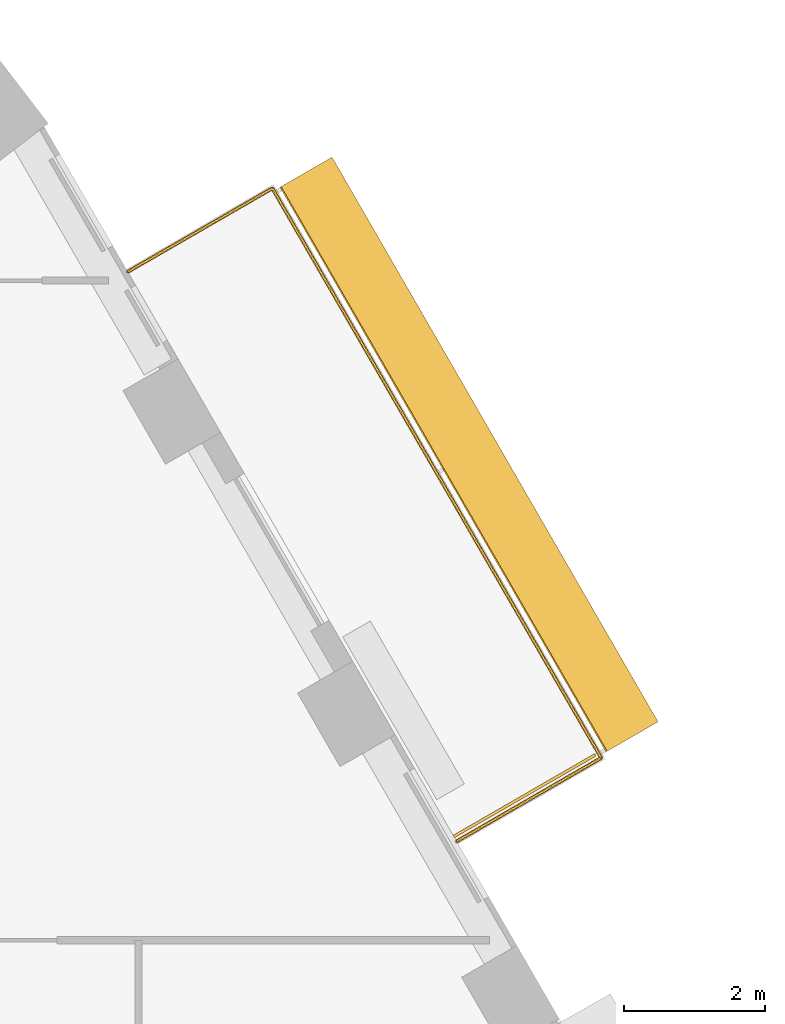
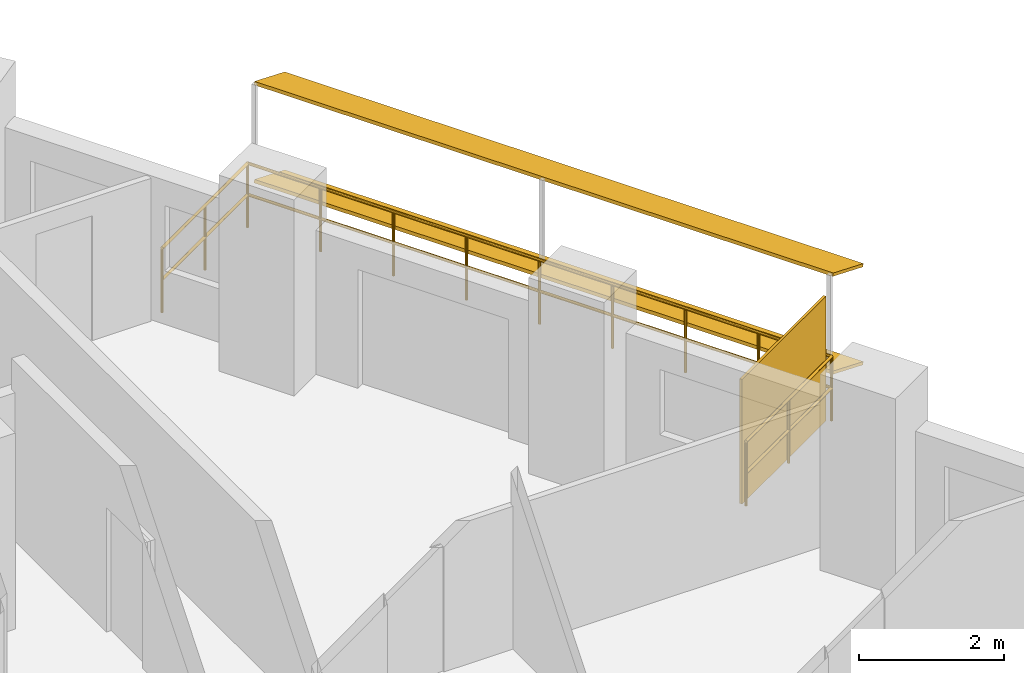
# One storey, part 18 of 18: 3 shading devices, 1 railing.
"""IFC4 building model written with IfcOpenShell, lengths in metres."""

from ifc_helpers import new_model, si_unit, direction, frame, origin, origin_2d, place, context, subcontext, project, spatial, rectangle, circle, extrude, material, layer, layer_set, material_profile, profile_set, type_object, element, save


model = new_model("IFC4")

# Units and contexts
model_context = context("Model", 3, precision=1e-05, world=origin(), true_north=direction((0.0, 1.0)))
body_context = subcontext(model_context, "Body", "Model", "MODEL_VIEW")
ifc_project = project(units=[si_unit("LENGTHUNIT", "METRE"), si_unit("AREAUNIT", "SQUARE_METRE"), si_unit("VOLUMEUNIT", "CUBIC_METRE"), si_unit("PLANEANGLEUNIT", "RADIAN"), si_unit("MASSUNIT", "GRAM", prefix="KILO")], contexts=[model_context])

# Site, building, storey
site_placement = place(None, origin())
site = spatial("IfcSite", under=ifc_project, at=site_placement, CompositionType="ELEMENT")
building_placement = place(site_placement, origin())
building = spatial("IfcBuilding", under=site, at=building_placement, Name="Nakaniwa Court", CompositionType="ELEMENT")
storey_placement = place(building_placement, frame((0.0, 0.0, 176.699951171875)))
storey = spatial("IfcBuildingStorey", under=building, at=storey_placement, Name="L45", CompositionType="ELEMENT", Elevation=176.699951171875)

# Railing
ifc_material_1 = material(Name="Black powder-coated steel flat bar balustrade S275", Category="steel")
railing_type = type_object("IfcRailingType", Name="Black metal balcony guard 1100", PredefinedType="GUARDRAIL", material=ifc_material_1)
railing_placement = place(storey_placement, frame((100.69921875, 89.4482421875, -0.050048828125)))
element("IfcRailing", 1, at=railing_placement, inside=storey, type_object=railing_type, Name="L45 balcony guard 03", PredefinedType="GUARDRAIL", context=body_context, shape_type="SweptSolid", body=[
    extrude(circle(Radius=0.02392578125, at=origin_2d()), frame((0.0, 0.0, 1.076171875), z_axis=(0.865980564943, 0.500077655111, 0.0), x_axis=(-0.500077655111, 0.865980564943, 0.0)), (0.0, 0.0, 1.0), 2.35986328125),
    extrude(circle(Radius=0.02392578125, at=origin_2d()), frame((0.0, 0.0, 0.550048828125), z_axis=(0.865980564943, 0.500077655111, 0.0), x_axis=(-0.500077655111, 0.865980564943, 0.0)), (0.0, 0.0, 1.0), 2.35986328125),
    extrude(circle(Radius=0.02392578125, at=origin_2d()), frame((2.043701171875, 1.18017578125, 1.076171875), z_axis=(-0.500024734623, 0.866011122772, 0.0), x_axis=(-0.866011122772, -0.500024734623, 0.0)), (0.0, 0.0, 1.0), 9.29833984375),
    extrude(circle(Radius=0.02392578125, at=origin_2d()), frame((2.043701171875, 1.18017578125, 0.550048828125), z_axis=(-0.500024734623, 0.866011122772, 0.0), x_axis=(-0.866011122772, -0.500024734623, 0.0)), (0.0, 0.0, 1.0), 9.29833984375),
    extrude(circle(Radius=0.02392578125, at=origin_2d()), frame((-2.605712890625, 9.232666015625, 1.076171875), z_axis=(-0.866025363618, -0.50000006957, 0.0), x_axis=(0.50000006957, -0.866025363618, 0.0)), (0.0, 0.0, 1.0), 2.35986328125),
    extrude(circle(Radius=0.02392578125, at=origin_2d()), frame((-2.605712890625, 9.232666015625, 0.550048828125), z_axis=(-0.866025363618, -0.50000006957, 0.0), x_axis=(0.50000006957, -0.866025363618, 0.0)), (0.0, 0.0, 1.0), 2.35986328125),
    extrude(circle(Radius=0.02099609375, at=origin_2d()), origin(), (0.0, 0.0, 1.0), 1.052001953125),
    extrude(circle(Radius=0.02099609375, at=origin_2d()), frame((1.02197265625, 0.590087890625, 0.0)), (0.0, 0.0, 1.0), 1.052001953125),
    extrude(circle(Radius=0.02099609375, at=origin_2d()), frame((2.043701171875, 1.18017578125, 0.0)), (0.0, 0.0, 1.0), 1.052001953125),
    extrude(circle(Radius=0.02099609375, at=origin_2d()), frame((1.46240234375, 2.186767578125, 0.0)), (0.0, 0.0, 1.0), 1.052001953125),
    extrude(circle(Radius=0.02099609375, at=origin_2d()), frame((0.88134765625, 3.193359375, 0.0)), (0.0, 0.0, 1.0), 1.052001953125),
    extrude(circle(Radius=0.02099609375, at=origin_2d()), frame((0.30029296875, 4.199951171875, 0.0)), (0.0, 0.0, 1.0), 1.052001953125),
    extrude(circle(Radius=0.02099609375, at=origin_2d()), frame((-0.281005859375, 5.20654296875, 0.0)), (0.0, 0.0, 1.0), 1.052001953125),
    extrude(circle(Radius=0.02099609375, at=origin_2d()), frame((-0.8623046875, 6.212890625, 0.0)), (0.0, 0.0, 1.0), 1.052001953125),
    extrude(circle(Radius=0.02099609375, at=origin_2d()), frame((-1.443359375, 7.219482421875, 0.0)), (0.0, 0.0, 1.0), 1.052001953125),
    extrude(circle(Radius=0.02099609375, at=origin_2d()), frame((-2.0244140625, 8.22607421875, 0.0)), (0.0, 0.0, 1.0), 1.052001953125),
    extrude(circle(Radius=0.02099609375, at=origin_2d()), frame((-2.605712890625, 9.232666015625, 0.0)), (0.0, 0.0, 1.0), 1.052001953125),
    extrude(circle(Radius=0.02099609375, at=origin_2d()), frame((-3.62744140625, 8.642578125, 0.0)), (0.0, 0.0, 1.0), 1.052001953125),
    extrude(circle(Radius=0.02099609375, at=origin_2d()), frame((-4.6494140625, 8.052734375, 0.0)), (0.0, 0.0, 1.0), 1.052001953125),
])

# Shading devices
ifc_material_2 = material(Name="Black powder-coated aluminium slat screen", Category="aluminium")
ifc_layer = layer(ifc_material_2, 0.0400390625)
ifc_layer_set = layer_set([ifc_layer], Name="Black powder-coated aluminium slat screen")
shading_device_type_1 = type_object("IfcShadingDeviceType", Name="Koshi screen black metal", PredefinedType="USERDEFINED", material=ifc_layer_set)
shading_device_placement = place(storey_placement, frame((101.659423828125, 90.09521484375, -0.050048828125), z_axis=(0.0, 0.0, 1.0), x_axis=(-0.500016626402, 0.866015804314, 0.0)))
element("IfcShadingDevice", 2, at=shading_device_placement, inside=storey, type_object=shading_device_type_1, Name="L45 balcony SCREEN 03 W", ObjectType="KOSHI SCREEN", PredefinedType="USERDEFINED", context=body_context, shape_type="SweptSolid", body=[
    extrude(rectangle(XDim=0.0400390625, YDim=2.31005859375, at=origin_2d()), origin(), (0.0, 0.0, 1.0), 2.10009765625),
])
ifc_material_3 = material(Name="Perforated charcoal ceramic louvre blade")
ifc_material_profile = material_profile(ifc_material_3, rectangle(XDim=0.89990234375, YDim=0.050048828125, at=origin_2d()), Name="Perforated ceramic louvre blade")
ifc_profile_set = profile_set([ifc_material_profile], Name="Perforated charcoal ceramic louvre blade")
shading_device_type_2 = type_object("IfcShadingDeviceType", Name="Perforated ceramic louvre blade", PredefinedType="JALOUSIE", material=ifc_profile_set)
for number, where, z_axis, x_axis, name in (
    (3, (103.177734375, 90.925537109375, 0.5), (-0.500012835235, 0.866017993231, 0.0), (-0.800096298733, -0.461951624467, 0.382683432365), "L45 perforated ceramic louvre blade 03 1"),
    (4, (103.177734375, 90.925537109375, 2.150146484375), (-0.500012835235, 0.866017993231, 0.0), (-0.800096298733, -0.461951624467, 0.382683432365), "L45 perforated ceramic louvre blade 03 2"),
):
    element("IfcShadingDevice", number, at=place(storey_placement, frame(where, z_axis=z_axis, x_axis=x_axis)), inside=storey, type_object=shading_device_type_2, Name=name, PredefinedType="JALOUSIE", context=body_context, shape_type="SweptSolid", body=[
        extrude(rectangle(XDim=0.89990234375, YDim=0.050048828125, at=origin_2d()), origin(), (0.0, 0.0, 1.0), 9.218505859375),
    ])

save(model, "model.ifc")
